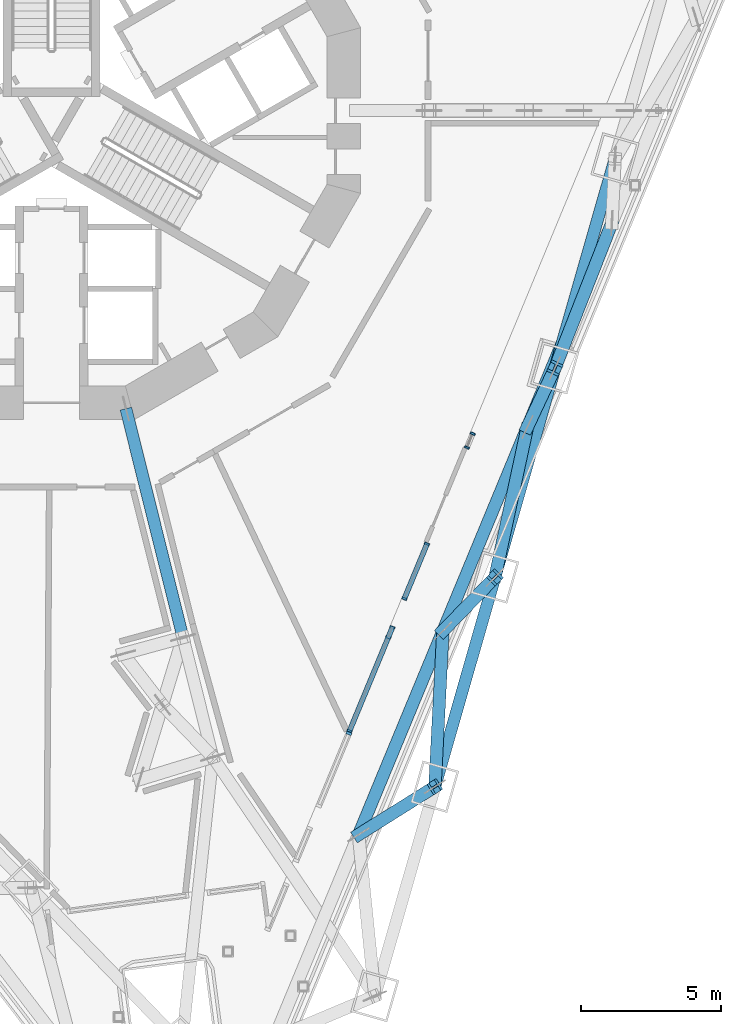
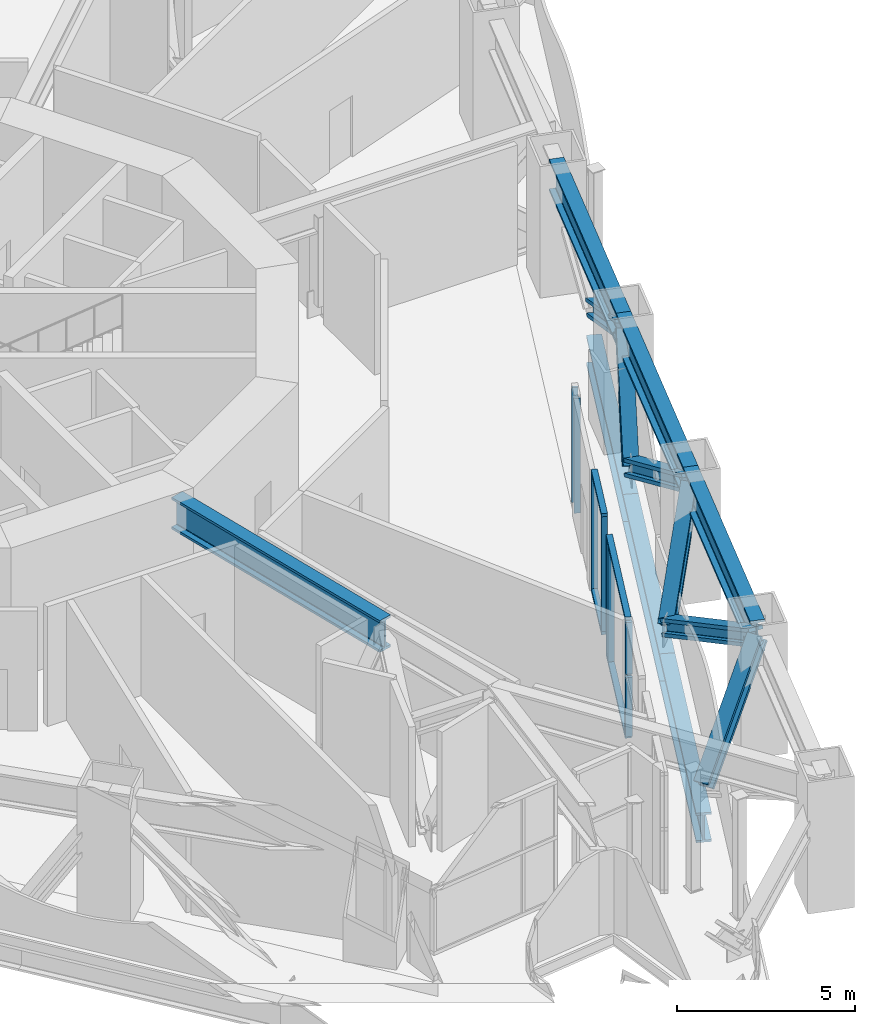
# One storey, part 4 of 31: 25 members, 1 beam, 4 elements without a shape of their own.
"""IFC4 building model written with IfcOpenShell, lengths in metres."""

from ifc_helpers import new_model, si_unit, direction, frame, origin, origin_2d, place, context, subcontext, project, spatial, rectangle, i_section, extrude, material, layer, layer_set, material_profile, profile_set, type_object, element, aggregate, save


model = new_model("IFC4")

# Units and contexts
model_context = context("Model", 3, precision=1e-05, world=origin(), true_north=direction((0.0, 1.0)))
body_context = subcontext(model_context, "Body", "Model", "MODEL_VIEW")
ifc_project = project(units=[si_unit("LENGTHUNIT", "METRE"), si_unit("AREAUNIT", "SQUARE_METRE"), si_unit("VOLUMEUNIT", "CUBIC_METRE"), si_unit("PLANEANGLEUNIT", "RADIAN"), si_unit("MASSUNIT", "GRAM", prefix="KILO")], contexts=[model_context])

# Site, building, storey
site_placement = place(None, origin())
site = spatial("IfcSite", under=ifc_project, at=site_placement, CompositionType="ELEMENT")
building_placement = place(site_placement, origin())
building = spatial("IfcBuilding", under=site, at=building_placement, Name="Trine Commons Tower", CompositionType="ELEMENT")
storey_placement = place(building_placement, frame((0.0, 0.0, 82.800048828125)))
storey = spatial("IfcBuildingStorey", under=building, at=storey_placement, Name="L20", CompositionType="ELEMENT", Elevation=82.800048828125)

# Curtain wall, members
ifc_material_1 = material(Name="Plant louvre wall: anodised aluminium frame with anodised aluminium louvre blades", Category="aluminium")
ifc_layer_1 = layer(ifc_material_1, 0.199951171875)
ifc_layer_set_1 = layer_set([ifc_layer_1], Name="Plant louvre wall: anodised aluminium frame with anodised aluminium louvre blades")
curtain_wall_type_1 = type_object("IfcCurtainWallType", Name="Plant louvre wall curtain wall CW7", PredefinedType="NOTDEFINED", material=ifc_layer_set_1)
curtain_wall_1_placement = place(storey_placement, origin())
curtain_wall_1 = element("IfcCurtainWall", 1, at=curtain_wall_1_placement, inside=storey, type_object=curtain_wall_type_1, Name="Plant louvre wall L20 F2.4", PredefinedType="NOTDEFINED")
ifc_material_2 = material(Name="Anodised aluminium, bronze finish", Category="aluminium")
ifc_material_profile_1 = material_profile(ifc_material_2, rectangle(XDim=0.199951171875, YDim=0.10009765625, at=origin_2d()), Name="Mullion 100x200")
ifc_profile_set_1 = profile_set([ifc_material_profile_1], Name="Anodised aluminium, bronze finish")
member_type_1 = type_object("IfcMemberType", Name="Mullion 100x200, Anodised aluminium, bronze finish", PredefinedType="MULLION", material=ifc_profile_set_1)
member_1_placement = place(storey_placement, frame((90.591796875, 40.311279296875, 0.119873046875), z_axis=(0.0, 0.0, 1.0), x_axis=(0.923879532511, -0.382683432365, 0.0)))
member_1 = element("IfcMember", 2, at=member_1_placement, type_object=member_type_1, Name="CW7 mullion 1.1", PredefinedType="MULLION", context=body_context, shape_type="SweptSolid", body=[
    extrude(rectangle(XDim=0.199951171875, YDim=0.10009765625, at=origin_2d()), origin(), (0.0, 0.0, 1.0), 2.02001953125),
])
member_2_placement = place(storey_placement, frame((90.591796875, 40.311279296875, 2.260009765625), z_axis=(0.0, 0.0, 1.0), x_axis=(0.923879532511, -0.382683432365, 0.0)))
member_2 = element("IfcMember", 3, at=member_2_placement, type_object=member_type_1, Name="CW7 mullion 1.2", PredefinedType="MULLION", context=body_context, shape_type="SweptSolid", body=[
    extrude(rectangle(XDim=0.199951171875, YDim=0.10009765625, at=origin_2d()), origin(), (0.0, 0.0, 1.0), 1.77001953125),
])
aggregate(curtain_wall_1, [member_1, member_2])

ifc_material_3 = material(Name="Sky lounge glazing: anodised aluminium frame with low-emissivity double glazed unit, solar control", Category="aluminium")
ifc_layer_2 = layer(ifc_material_3, 0.179931640625)
ifc_layer_set_2 = layer_set([ifc_layer_2], Name="Sky lounge glazing: anodised aluminium frame with low-emissivity double glazed unit, solar control")
curtain_wall_type_2 = type_object("IfcCurtainWallType", Name="Sky lounge glazing curtain wall CW5", PredefinedType="NOTDEFINED", material=ifc_layer_set_2)
curtain_wall_2_placement = place(storey_placement, origin())
curtain_wall_2 = element("IfcCurtainWall", 4, at=curtain_wall_2_placement, inside=storey, type_object=curtain_wall_type_2, Name="Sky lounge glazing L20 F2.1", PredefinedType="NOTDEFINED")
ifc_material_profile_2 = material_profile(ifc_material_2, rectangle(XDim=0.179931640625, YDim=0.074951171875, at=origin_2d()), Name="Mullion 75x180")
ifc_profile_set_2 = profile_set([ifc_material_profile_2], Name="Anodised aluminium, bronze finish")
member_type_2 = type_object("IfcMemberType", Name="Mullion 75x180, Anodised aluminium, bronze finish", PredefinedType="MULLION", material=ifc_profile_set_2)
member_3_placement = place(storey_placement, frame((95.0029296875, 50.987060546875, 0.10986328125), z_axis=(0.0, 0.0, 1.0), x_axis=(0.923879532511, -0.382683432365, 0.0)))
member_3 = element("IfcMember", 5, at=member_3_placement, type_object=member_type_2, Name="CW5 mullion 1.1", PredefinedType="MULLION", context=body_context, shape_type="SweptSolid", body=[
    extrude(rectangle(XDim=0.179931640625, YDim=0.074951171875, at=origin_2d()), origin(), (0.0, 0.0, 1.0), 3.93017578125),
])
member_4_placement = place(storey_placement, frame((94.799072265625, 50.49462890625, 0.10986328125), z_axis=(0.0, 0.0, 1.0), x_axis=(0.923879532511, -0.382683432365, 0.0)))
member_4 = element("IfcMember", 6, at=member_4_placement, type_object=member_type_2, Name="CW5 mullion 2.1", PredefinedType="MULLION", context=body_context, shape_type="SweptSolid", body=[
    extrude(rectangle(XDim=0.179931640625, YDim=0.074951171875, at=origin_2d()), origin(), (0.0, 0.0, 1.0), 3.93017578125),
])
aggregate(curtain_wall_2, [member_3, member_4])

curtain_wall_3_placement = place(storey_placement, origin())
curtain_wall_3 = element("IfcCurtainWall", 7, at=curtain_wall_3_placement, inside=storey, type_object=curtain_wall_type_2, Name="Sky lounge glazing L20 F2.2", PredefinedType="NOTDEFINED")
member_5_placement = place(storey_placement, frame((93.3759765625, 47.05908203125, 0.10986328125), z_axis=(0.0, 0.0, 1.0), x_axis=(0.923879532511, -0.382683432365, 0.0)))
member_5 = element("IfcMember", 8, at=member_5_placement, type_object=member_type_2, Name="CW5 mullion 1.1", PredefinedType="MULLION", context=body_context, shape_type="SweptSolid", body=[
    extrude(rectangle(XDim=0.179931640625, YDim=0.074951171875, at=origin_2d()), origin(), (0.0, 0.0, 1.0), 3.93017578125),
])
member_6_placement = place(storey_placement, frame((92.568115234375, 45.1083984375, 0.10986328125), z_axis=(0.0, 0.0, 1.0), x_axis=(0.923879532511, -0.382683432365, 0.0)))
member_6 = element("IfcMember", 9, at=member_6_placement, type_object=member_type_2, Name="CW5 mullion 2.1", PredefinedType="MULLION", context=body_context, shape_type="SweptSolid", body=[
    extrude(rectangle(XDim=0.179931640625, YDim=0.074951171875, at=origin_2d()), origin(), (0.0, 0.0, 1.0), 3.93017578125),
])

curtain_wall_4_placement = place(storey_placement, origin())
curtain_wall_4 = element("IfcCurtainWall", 10, at=curtain_wall_4_placement, inside=storey, type_object=curtain_wall_type_2, Name="Sky lounge glazing L20 F2.3", PredefinedType="NOTDEFINED")
member_7_placement = place(storey_placement, frame((92.144287109375, 44.08544921875, 0.10986328125), z_axis=(0.0, 0.0, 1.0), x_axis=(0.923879532511, -0.382683432365, 0.0)))
member_7 = element("IfcMember", 11, at=member_7_placement, type_object=member_type_2, Name="CW5 mullion 1.1", PredefinedType="MULLION", context=body_context, shape_type="SweptSolid", body=[
    extrude(rectangle(XDim=0.179931640625, YDim=0.074951171875, at=origin_2d()), origin(), (0.0, 0.0, 1.0), 3.93017578125),
])
member_8_placement = place(storey_placement, frame((91.99609375, 43.727294921875, 0.10986328125), z_axis=(0.0, 0.0, 1.0), x_axis=(0.923879532511, -0.382683432365, 0.0)))
member_8 = element("IfcMember", 12, at=member_8_placement, type_object=member_type_2, Name="CW5 mullion 2.1", PredefinedType="MULLION", context=body_context, shape_type="SweptSolid", body=[
    extrude(rectangle(XDim=0.179931640625, YDim=0.074951171875, at=origin_2d()), origin(), (0.0, 0.0, 1.0), 3.93017578125),
])
member_9_placement = place(storey_placement, frame((90.615966796875, 40.395751953125, 0.10986328125), z_axis=(0.0, 0.0, 1.0), x_axis=(0.923879532511, -0.382683432365, 0.0)))
member_9 = element("IfcMember", 13, at=member_9_placement, type_object=member_type_2, Name="CW5 mullion 3.1", PredefinedType="MULLION", context=body_context, shape_type="SweptSolid", body=[
    extrude(rectangle(XDim=0.179931640625, YDim=0.074951171875, at=origin_2d()), origin(), (0.0, 0.0, 1.0), 3.93017578125),
])

# Beam
ifc_material_4 = material(Name="Structural steel ASTM A992 Gr50", Category="steel")
ifc_material_profile_3 = material_profile(ifc_material_4, i_section(OverallWidth=0.42529296875, OverallDepth=1.09228515625, WebThickness=0.04541015625, FlangeThickness=0.08203125, FilletRadius=0.030029296875, at=origin_2d()), Name="W40X593")
ifc_profile_set_3 = profile_set([ifc_material_profile_3], Name="Structural steel ASTM A992 Gr50")
beam_type = type_object("IfcBeamType", Name="Steel beam W40X593, ASTM A992 Gr50", PredefinedType="BEAM", material=ifc_profile_set_3)
beam_placement = place(storey_placement, frame((82.648681640625, 51.876708984375, 3.603759765625), z_axis=(0.241920051427, -0.970296186078, 0.0), x_axis=(0.970296186078, 0.241920051427, 0.0)))
element("IfcBeam", 14, at=beam_placement, inside=storey, type_object=beam_type, Name="Transfer truss girder T2-UR-01", PredefinedType="BEAM", context=body_context, shape_type="SweptSolid", body=[
    extrude(i_section(OverallWidth=0.42529296875, OverallDepth=1.09228515625, WebThickness=0.04541015625, FlangeThickness=0.08203125, FilletRadius=0.030029296875, at=origin_2d()), origin(), (0.0, 0.0, 1.0), 8.3994140625),
])

# Members
ifc_material_profile_4 = material_profile(ifc_material_4, i_section(OverallWidth=0.44775390625, OverallDepth=0.54931640625, WebThickness=0.072021484375, FlangeThickness=0.11474609375, FilletRadius=0.01513671875, at=origin_2d()), Name="W14X665")
ifc_profile_set_4 = profile_set([ifc_material_profile_4], Name="Structural steel ASTM A992 Gr50")
member_type_3 = type_object("IfcMemberType", Name="Steel brace W14X665, ASTM A992 Gr50", PredefinedType="BRACE", material=ifc_profile_set_4)
member_10_placement = place(storey_placement, frame((96.9521484375, 51.22412109375, 0.504638671875), z_axis=(0.253771295586, 0.542308375327, 0.800938047284), x_axis=(-0.905738430052, 0.423837110607, 0.0)))
element("IfcMember", 15, at=member_10_placement, inside=storey, type_object=member_type_3, Name="Belt truss brace T2-DG-41", PredefinedType="BRACE", context=body_context, shape_type="SweptSolid", body=[
    extrude(i_section(OverallWidth=0.44775390625, OverallDepth=0.54931640625, WebThickness=0.072021484375, FlangeThickness=0.11474609375, FilletRadius=0.01513671875, at=origin_2d()), origin(), (0.0, 0.0, 1.0), 3.869384765625),
])
member_11_placement = place(storey_placement, frame((99.960205078125, 58.486328125, 0.504638671875), z_axis=(-0.318867982477, -0.812673418167, 0.487734687259), x_axis=(0.930906012875, -0.36525880577, 0.0)))
element("IfcMember", 16, at=member_11_placement, inside=storey, type_object=member_type_3, Name="Belt truss brace T2-DG-42", PredefinedType="BRACE", context=body_context, shape_type="SweptSolid", body=[
    extrude(i_section(OverallWidth=0.44775390625, OverallDepth=0.54931640625, WebThickness=0.072021484375, FlangeThickness=0.11474609375, FilletRadius=0.01513671875, at=origin_2d()), origin(), (0.0, 0.0, 1.0), 6.35400390625),
])
member_12_placement = place(storey_placement, frame((93.944091796875, 43.9619140625, 0.504638671875), z_axis=(0.453690844629, 0.466373130897, 0.759381801387), x_axis=(-0.716785544441, 0.6972936851, 0.0)))
element("IfcMember", 17, at=member_12_placement, inside=storey, type_object=member_type_3, Name="Belt truss brace T2-DG-43", PredefinedType="BRACE", context=body_context, shape_type="SweptSolid", body=[
    extrude(i_section(OverallWidth=0.44775390625, OverallDepth=0.54931640625, WebThickness=0.072021484375, FlangeThickness=0.11474609375, FilletRadius=0.01513671875, at=origin_2d()), origin(), (0.0, 0.0, 1.0), 4.0810546875),
])
member_13_placement = place(storey_placement, frame((96.9521484375, 51.22412109375, 0.504638671875), z_axis=(-0.183640615707, -0.850941843946, 0.492111880048), x_axis=(0.977496382356, -0.210952180557, 0.0)))
element("IfcMember", 18, at=member_13_placement, inside=storey, type_object=member_type_3, Name="Belt truss brace T2-DG-44", PredefinedType="BRACE", context=body_context, shape_type="SweptSolid", body=[
    extrude(i_section(OverallWidth=0.44775390625, OverallDepth=0.54931640625, WebThickness=0.072021484375, FlangeThickness=0.11474609375, FilletRadius=0.01513671875, at=origin_2d()), origin(), (0.0, 0.0, 1.0), 6.297607421875),
])
member_14_placement = place(storey_placement, frame((90.935791015625, 36.69970703125, 0.504638671875), z_axis=(0.609637838054, 0.38269156716, 0.694182159693), x_axis=(-0.531664217206, 0.846955229125, 0.0)))
element("IfcMember", 19, at=member_14_placement, inside=storey, type_object=member_type_3, Name="Belt truss brace T2-DG-45", PredefinedType="BRACE", context=body_context, shape_type="SweptSolid", body=[
    extrude(i_section(OverallWidth=0.44775390625, OverallDepth=0.54931640625, WebThickness=0.072021484375, FlangeThickness=0.11474609375, FilletRadius=0.01513671875, at=origin_2d()), origin(), (0.0, 0.0, 1.0), 4.46435546875),
])
member_15_placement = place(storey_placement, frame((93.944091796875, 43.9619140625, 0.504638671875), z_axis=(-0.045021261426, -0.872354050193, 0.486797182748), x_axis=(0.998670913445, -0.051540339915, 0.0)))
element("IfcMember", 20, at=member_15_placement, inside=storey, type_object=member_type_3, Name="Belt truss brace T2-DG-46", PredefinedType="BRACE", context=body_context, shape_type="SweptSolid", body=[
    extrude(i_section(OverallWidth=0.44775390625, OverallDepth=0.54931640625, WebThickness=0.072021484375, FlangeThickness=0.11474609375, FilletRadius=0.01513671875, at=origin_2d()), origin(), (0.0, 0.0, 1.0), 6.366455078125),
])
ifc_material_profile_5 = material_profile(ifc_material_4, i_section(OverallWidth=0.43798828125, OverallDepth=1.009521484375, WebThickness=0.041015625, FlangeThickness=0.073974609375, FilletRadius=0.024169921875, at=origin_2d()), Name="W36X529")
ifc_profile_set_5 = profile_set([ifc_material_profile_5], Name="Structural steel ASTM A992 Gr50")
member_type_4 = type_object("IfcMemberType", Name="Steel chord W36X529, ASTM A992 Gr50", PredefinedType="CHORD", material=ifc_profile_set_5)
for number, where, z_axis, x_axis, name in (
    (21, (99.960205078125, 58.486328125, -0.954833984375), (-0.382678219689, -0.923881691655, 0.0), (0.923881691655, -0.382678219689, 0.0), "Belt truss chord T2-LC-18"),
    (22, (96.9521484375, 51.22412109375, -0.954833984375), (-0.382678219689, -0.923881691655, 0.0), (0.923881691655, -0.382678219689, 0.0), "Belt truss chord T2-LC-19"),
    (23, (93.944091796875, 43.9619140625, -0.954833984375), (-0.382704729875, -0.923870710506, 0.0), (0.923870710506, -0.382704729875, 0.0), "Belt truss chord T2-LC-20"),
):
    element("IfcMember", number, at=place(storey_placement, frame(where, z_axis=z_axis, x_axis=x_axis)), inside=storey, type_object=member_type_4, Name=name, PredefinedType="CHORD", context=body_context, shape_type="SweptSolid", body=[
        extrude(i_section(OverallWidth=0.43798828125, OverallDepth=1.009521484375, WebThickness=0.041015625, FlangeThickness=0.073974609375, FilletRadius=0.024169921875, at=origin_2d()), origin(), (0.0, 0.0, 1.0), 7.860595703125),
    ])
ifc_material_profile_6 = material_profile(ifc_material_4, i_section(OverallWidth=0.42529296875, OverallDepth=1.09228515625, WebThickness=0.04541015625, FlangeThickness=0.08203125, FilletRadius=0.030029296875, at=origin_2d()), Name="W40X593")
ifc_profile_set_6 = profile_set([ifc_material_profile_6], Name="Structural steel ASTM A992 Gr50")
member_type_5 = type_object("IfcMemberType", Name="Steel chord W40X593, ASTM A992 Gr50", PredefinedType="CHORD", material=ifc_profile_set_6)
member_16_placement = place(storey_placement, frame((100.072265625, 60.779541015625, 3.603759765625), z_axis=(-0.275627146761, -0.961264623279, 0.0), x_axis=(0.961264623279, -0.275627146761, 0.0)))
element("IfcMember", 24, at=member_16_placement, inside=storey, type_object=member_type_5, Name="Belt truss chord T2-UC-18", PredefinedType="CHORD", context=body_context, shape_type="SweptSolid", body=[
    extrude(i_section(OverallWidth=0.42529296875, OverallDepth=1.09228515625, WebThickness=0.04541015625, FlangeThickness=0.08203125, FilletRadius=0.030029296875, at=origin_2d()), origin(), (0.0, 0.0, 1.0), 7.757568359375),
])
member_17_placement = place(storey_placement, frame((97.93408203125, 53.322509765625, 3.603759765625), z_axis=(-0.275647888077, -0.961258675799, 0.0), x_axis=(0.961258675799, -0.275647888077, 0.0)))
element("IfcMember", 25, at=member_17_placement, inside=storey, type_object=member_type_5, Name="Belt truss chord T2-UC-19", PredefinedType="CHORD", context=body_context, shape_type="SweptSolid", body=[
    extrude(i_section(OverallWidth=0.42529296875, OverallDepth=1.09228515625, WebThickness=0.04541015625, FlangeThickness=0.08203125, FilletRadius=0.030029296875, at=origin_2d()), origin(), (0.0, 0.0, 1.0), 7.7578125),
])
member_18_placement = place(storey_placement, frame((95.795654296875, 45.865234375, 3.603759765625), z_axis=(-0.275627146761, -0.961264623279, 0.0), x_axis=(0.961264623279, -0.275627146761, 0.0)))
element("IfcMember", 26, at=member_18_placement, inside=storey, type_object=member_type_5, Name="Belt truss chord T2-UC-20", PredefinedType="CHORD", context=body_context, shape_type="SweptSolid", body=[
    extrude(i_section(OverallWidth=0.42529296875, OverallDepth=1.09228515625, WebThickness=0.04541015625, FlangeThickness=0.08203125, FilletRadius=0.030029296875, at=origin_2d()), origin(), (0.0, 0.0, 1.0), 7.757568359375),
])

# Member
ifc_material_profile_7 = material_profile(ifc_material_2, rectangle(XDim=0.179931640625, YDim=0.110107421875, at=origin_2d()), Name="Transom 110x180")
ifc_profile_set_7 = profile_set([ifc_material_profile_7], Name="Anodised aluminium, bronze finish")
member_type_6 = type_object("IfcMemberType", Name="Transom 110x180, Anodised aluminium, bronze finish", PredefinedType="USERDEFINED", material=ifc_profile_set_7)
member_19_placement = place(storey_placement, frame((93.390380859375, 47.09375, 0.054931640625), z_axis=(-0.382664083101, -0.923887547002, 0.0), x_axis=(0.923887547002, -0.382664083101, 0.0)))
member_19 = element("IfcMember", 27, at=member_19_placement, type_object=member_type_6, Name="CW5 transom T00", ObjectType="TRANSOM", PredefinedType="USERDEFINED", context=body_context, shape_type="SweptSolid", body=[
    extrude(rectangle(XDim=0.179931640625, YDim=0.110107421875, at=origin_2d()), origin(), (0.0, 0.0, 1.0), 2.1865234375),
])

member_20_placement = place(storey_placement, frame((93.390380859375, 47.09375, 4.094970703125), z_axis=(-0.382664083101, -0.923887547002, 0.0), x_axis=(0.923887547002, -0.382664083101, 0.0)))
member_20 = element("IfcMember", 28, at=member_20_placement, type_object=member_type_6, Name="CW5 transom TH00", ObjectType="TRANSOM", PredefinedType="USERDEFINED", context=body_context, shape_type="SweptSolid", body=[
    extrude(rectangle(XDim=0.179931640625, YDim=0.110107421875, at=origin_2d()), origin(), (0.0, 0.0, 1.0), 2.1865234375),
])

aggregate(curtain_wall_3, [member_19, member_20, member_5, member_6])

member_21_placement = place(storey_placement, frame((92.15869140625, 44.1201171875, 0.054931640625), z_axis=(-0.382701551526, -0.923872027101, 0.0), x_axis=(0.923872027101, -0.382701551526, 0.0)))
member_21 = element("IfcMember", 29, at=member_21_placement, type_object=member_type_6, Name="CW5 transom T00", ObjectType="TRANSOM", PredefinedType="USERDEFINED", context=body_context, shape_type="SweptSolid", body=[
    extrude(rectangle(XDim=0.179931640625, YDim=0.110107421875, at=origin_2d()), origin(), (0.0, 0.0, 1.0), 4.06884765625),
])

member_22_placement = place(storey_placement, frame((92.15869140625, 44.1201171875, 4.094970703125), z_axis=(-0.382701551526, -0.923872027101, 0.0), x_axis=(0.923872027101, -0.382701551526, 0.0)))
member_22 = element("IfcMember", 30, at=member_22_placement, type_object=member_type_6, Name="CW5 transom TH00", ObjectType="TRANSOM", PredefinedType="USERDEFINED", context=body_context, shape_type="SweptSolid", body=[
    extrude(rectangle(XDim=0.179931640625, YDim=0.110107421875, at=origin_2d()), origin(), (0.0, 0.0, 1.0), 4.06884765625),
])

aggregate(curtain_wall_4, [member_21, member_22, member_7, member_8, member_9])

save(model, "model.ifc")
